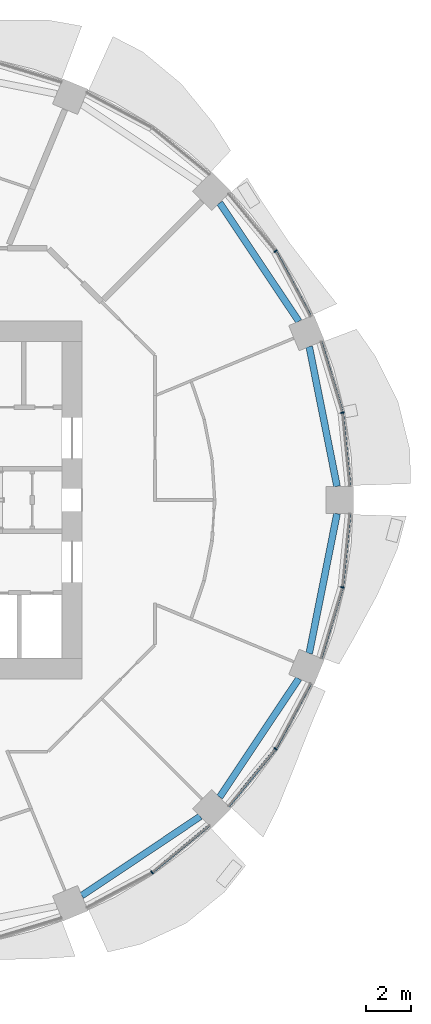
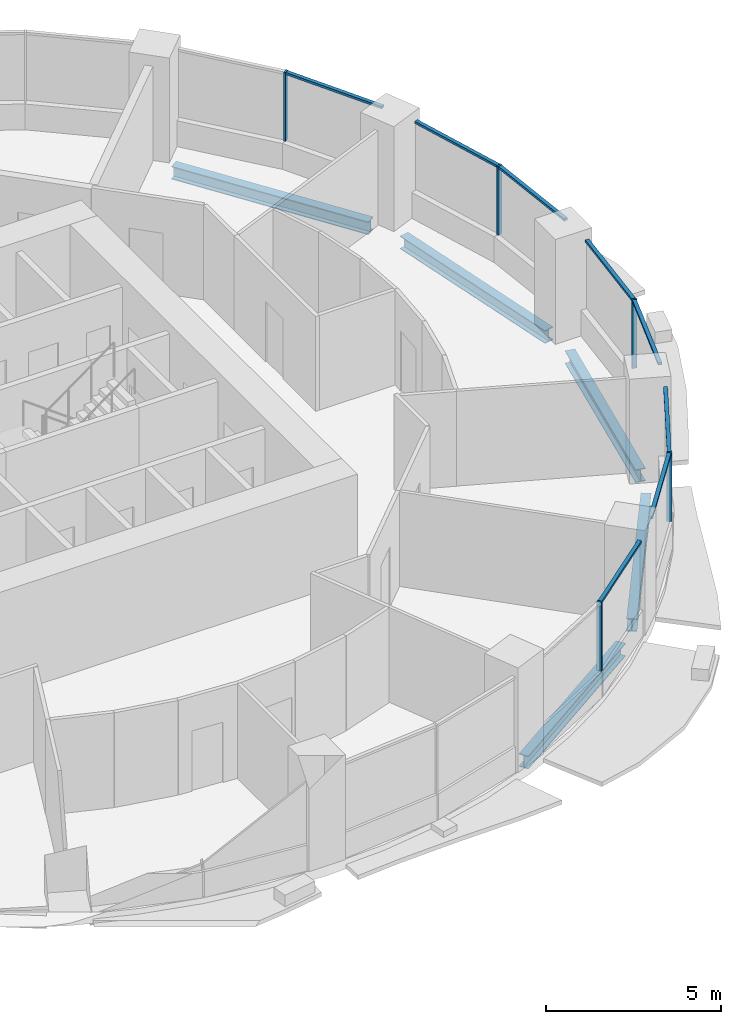
# One storey, part 5 of 15: 13 members, 5 beams, 5 elements without a shape of their own.
"""IFC4 building model written with IfcOpenShell, lengths in metres."""

import ifcopenshell
import ifcopenshell.guid

model = None  # the IFC model being written
_history = None  # IfcOwnerHistory: only IFC2X3 demands one
_inside = {}  # id of a spatial element -> (the spatial element, [elements in it])
_under = {}  # id of a project, library or spatial element -> (it, [spatial elements below it])
_declared = {}  # id of a project -> (the project, [libraries it declares])
_typed = {}  # id of a type object -> (the type object, [elements of that type])
_made_of = {}  # id of a material, layer set ... -> (it, [elements and type objects made of it])


def new_model(schema):
    """Start an empty IFC model of exactly this schema.

    Asked for "IFC4X3", IfcOpenShell would pick the latest addendum, in which some entities
    have other attributes; the version numbers below select the first issue.
    IFC2X3 requires an IfcOwnerHistory on every rooted entity: one is made here for all.
    """
    global model, _history
    if schema == "IFC4X3":
        model = ifcopenshell.file(schema_version=(4, 3, 0, 0))
    else:
        model = ifcopenshell.file(schema=schema)
    _inside.clear()
    _under.clear()
    _declared.clear()
    _typed.clear()
    _made_of.clear()
    _history = None
    if model.schema == "IFC2X3":
        org = make("IfcOrganization", Name="unknown")
        user = make(
            "IfcPersonAndOrganization",
            ThePerson=make("IfcPerson", FamilyName="unknown"),
            TheOrganization=org,
        )
        app = make(
            "IfcApplication",
            ApplicationDeveloper=org,
            Version="unknown",
            ApplicationFullName="unknown",
            ApplicationIdentifier="unknown",
        )
        _history = make(
            "IfcOwnerHistory",
            OwningUser=user,
            OwningApplication=app,
            ChangeAction="ADDED",
            CreationDate=0,
        )
    return model


def make(cls, **values):
    """One entity of the class cls with the attributes given. An attribute that is None is left unset."""
    return model.create_entity(
        cls, **{name: value for name, value in values.items() if value is not None}
    )


def rooted(cls, **values):
    """An entity with a GlobalId (a new one), such as an element, a storey or a relation."""
    return make(cls, GlobalId=ifcopenshell.guid.new(), OwnerHistory=_history, **values)


def si_unit(unit_type, name, prefix=None):
    """IfcSIUnit, for example si_unit("LENGTHUNIT", "METRE", prefix="MILLI")."""
    return make("IfcSIUnit", UnitType=unit_type, Prefix=prefix, Name=name)


def assignment(units):
    """IfcUnitAssignment: the units of a project."""
    return None if units is None else make("IfcUnitAssignment", Units=units)


def point(xyz):
    """IfcCartesianPoint."""
    return None if xyz is None else make("IfcCartesianPoint", Coordinates=xyz)


def direction(xyz):
    """IfcDirection."""
    return None if xyz is None else make("IfcDirection", DirectionRatios=xyz)


def frame(location, z_axis=None, x_axis=None):
    """IfcAxis2Placement3D, a coordinate frame: its origin and axes. An axis left out is left unset."""
    return make(
        "IfcAxis2Placement3D",
        Location=point(location),
        Axis=direction(z_axis),
        RefDirection=direction(x_axis),
    )


def frame_2d(location, x_axis=None):
    """IfcAxis2Placement2D, a coordinate frame in the plane: its origin and x axis."""
    return make(
        "IfcAxis2Placement2D", Location=point(location), RefDirection=direction(x_axis)
    )


def origin():
    """The frame at (0, 0, 0) with its axes left unset."""
    return frame((0.0, 0.0, 0.0))


def origin_2d():
    """The frame at (0, 0) in the plane with its x axis left unset."""
    return frame_2d((0.0, 0.0))


def place(relative_to, where):
    """IfcLocalPlacement: puts the frame where relative to a parent placement (None: the world)."""
    return make(
        "IfcLocalPlacement", PlacementRelTo=relative_to, RelativePlacement=where
    )


def context(
    kind, dimensions, precision=None, world=None, true_north=None, identifier=None
):
    """IfcGeometricRepresentationContext, for example the 3D "Model" context."""
    return make(
        "IfcGeometricRepresentationContext",
        ContextIdentifier=identifier,
        ContextType=kind,
        CoordinateSpaceDimension=dimensions,
        Precision=precision,
        WorldCoordinateSystem=world,
        TrueNorth=true_north,
    )


def subcontext(parent, identifier, kind, view, scale=None):
    """IfcGeometricRepresentationSubContext, for example "Body" below "Model"."""
    return make(
        "IfcGeometricRepresentationSubContext",
        ContextIdentifier=identifier,
        ContextType=kind,
        ParentContext=parent,
        TargetScale=scale,
        TargetView=view,
    )


def project(units=None, contexts=None):
    """IfcProject with its units and contexts."""
    return rooted(
        "IfcProject",
        Name="project",
        RepresentationContexts=contexts,
        UnitsInContext=assignment(units),
    )


def spatial(cls, under=None, at=None, **own):
    """A site, building, storey or space (cls), placed at a placement, below another one or the project."""
    s = rooted(cls, ObjectPlacement=at, **own)
    if under is not None:
        _under.setdefault(under.id(), (under, []))[1].append(s)
    return s


def profile(cls, at=None, kind="AREA", **sizes):
    """A parametric profile (cls). Its sizes go by their IFC names, for example OverallWidth=200.0."""
    return make(cls, ProfileType=kind, Position=at, **sizes)


def rectangle(**sizes):
    """IfcRectangleProfileDef."""
    return profile("IfcRectangleProfileDef", **sizes)


def i_section(**sizes):
    """IfcIShapeProfileDef."""
    return profile("IfcIShapeProfileDef", **sizes)


def extrude(swept, where, along, depth):
    """IfcExtrudedAreaSolid: the profile swept, set in the frame where, extruded along a direction by depth."""
    return make(
        "IfcExtrudedAreaSolid",
        SweptArea=swept,
        Position=where,
        ExtrudedDirection=direction(along),
        Depth=depth,
    )


def shape(context_of_items, identifier, shape_type, items):
    """IfcShapeRepresentation: the items that make up one representation, for example the "Body"."""
    return make(
        "IfcShapeRepresentation",
        ContextOfItems=context_of_items,
        RepresentationIdentifier=identifier,
        RepresentationType=shape_type,
        Items=items,
    )


def material(Name=None, Category=None):
    """IfcMaterial."""
    return make("IfcMaterial", Name=Name, Category=Category)


def material_profile(
    of_material, cross_section, Name=None, Category=None, Priority=None
):
    """IfcMaterialProfile: a cross section and its material."""
    return make(
        "IfcMaterialProfile",
        Name=Name,
        Material=of_material,
        Profile=cross_section,
        Priority=Priority,
        Category=Category,
    )


def profile_set(profiles, Name=None, composite=None):
    """IfcMaterialProfileSet."""
    return make(
        "IfcMaterialProfileSet",
        Name=Name,
        MaterialProfiles=profiles,
        CompositeProfile=composite,
    )


def made_of(thing, what):
    """Note that an element or type object is made of a material, layer set ...; save() writes the relation."""
    if what is not None:
        _made_of.setdefault(what.id(), (what, []))[1].append(thing)
    return thing


def type_object(cls, material=None, **own):
    """A type object (cls), such as IfcWallType, which elements share."""
    return made_of(rooted(cls, **own), material)


def element(
    cls,
    number,
    at=None,
    inside=None,
    cuts=None,
    type_object=None,
    material=None,
    context=None,
    identifier="Body",
    shape_type=None,
    held_by="IfcProductDefinitionShape",
    body=None,
    shapes=None,
    **own,
):
    """One element of the class cls, such as IfcWall. Its Tag is "e" and its number.

    at: its placement. inside: the storey or other place that contains it. cuts: it is an
    opening in that element (IfcRelVoidsElement). A single representation is given by context,
    identifier, shape_type and body (its items); several are given by shapes. held_by: the class
    of the entity that holds the representations. save() writes the other relations.
    """
    e = rooted(cls, Tag="e%d" % number, ObjectPlacement=at, **own)
    if body is not None:
        shapes = [shape(context, identifier, shape_type, body)]
    if shapes is not None:
        e.Representation = make(held_by, Representations=shapes)
    if inside is not None:
        _inside.setdefault(inside.id(), (inside, []))[1].append(e)
    if cuts is not None:
        rooted(
            "IfcRelVoidsElement", RelatingBuildingElement=cuts, RelatedOpeningElement=e
        )
    if type_object is not None:
        _typed.setdefault(type_object.id(), (type_object, []))[1].append(e)
    return made_of(e, material)


def aggregate(whole, parts):
    """IfcRelAggregates: a whole, such as a stair, and the parts it consists of."""
    return rooted("IfcRelAggregates", RelatingObject=whole, RelatedObjects=parts)


def save(model, path):
    """Write the relations noted so far, then the file.

    IfcRelAggregates (storeys below a building ...), IfcRelContainedInSpatialStructure (elements
    in a storey), IfcRelDefinesByType, IfcRelAssociatesMaterial and IfcRelDeclares: one each for
    every whole, place, type object, material and project.
    """
    for whole, parts in _under.values():
        aggregate(whole, parts)
    for where, things in _inside.values():
        rooted(
            "IfcRelContainedInSpatialStructure",
            RelatedElements=things,
            RelatingStructure=where,
        )
    for kind, things in _typed.values():
        rooted("IfcRelDefinesByType", RelatedObjects=things, RelatingType=kind)
    for what, things in _made_of.values():
        rooted("IfcRelAssociatesMaterial", RelatedObjects=things, RelatingMaterial=what)
    for by, libraries in _declared.values():
        rooted("IfcRelDeclares", RelatingContext=by, RelatedDefinitions=libraries)
    model.write(path)


model = new_model("IFC4")

# Units and contexts
model_context = context("Model", 3, precision=1e-05, world=origin(), true_north=direction((0.0, 1.0)))
body_context = subcontext(model_context, "Body", "Model", "MODEL_VIEW")
ifc_project = project(units=[si_unit("LENGTHUNIT", "METRE"), si_unit("AREAUNIT", "SQUARE_METRE"), si_unit("VOLUMEUNIT", "CUBIC_METRE"), si_unit("PLANEANGLEUNIT", "RADIAN"), si_unit("MASSUNIT", "GRAM", prefix="KILO")], contexts=[model_context])

# Site, building, storey
site_placement = place(None, origin())
site = spatial("IfcSite", under=ifc_project, at=site_placement, CompositionType="ELEMENT")
building_placement = place(site_placement, origin())
building = spatial("IfcBuilding", under=site, at=building_placement, Name="Polderwave Tower", CompositionType="ELEMENT")
storey_placement = place(building_placement, frame((0.0, 0.0, 26.199951171875)))
storey = spatial("IfcBuildingStorey", under=building, at=storey_placement, Name="L06", CompositionType="ELEMENT", Elevation=26.199951171875)

# Curtain wall, member
ifc_material_1 = material(Name="Aluminium 6063-T6 and glass", Category="aluminium")
curtain_wall_type = type_object("IfcCurtainWallType", Name="Growing floor ribbon glazing wall", PredefinedType="NOTDEFINED", material=ifc_material_1)
curtain_wall_1_placement = place(storey_placement, origin())
curtain_wall_1 = element("IfcCurtainWall", 1, at=curtain_wall_1_placement, inside=storey, type_object=curtain_wall_type, Name="CW2 L06 00", PredefinedType="NOTDEFINED")
ifc_material_2 = material(Name="Aluminium 6063-T6", Category="aluminium")
ifc_material_profile_1 = material_profile(ifc_material_2, rectangle(XDim=0.14990234375, YDim=0.06005859375, at=origin_2d()), Name="AL 60x150")
ifc_profile_set_1 = profile_set([ifc_material_profile_1], Name="Aluminium 6063-T6")
member_type_1 = type_object("IfcMemberType", Name="Growing floor ribbon glazing mullion 60x150", PredefinedType="MULLION", material=ifc_profile_set_1)
member_1_placement = place(storey_placement, frame((19.321044921875, 3.843017578125, 0.900146484375), z_axis=(0.0, 0.0, 1.0), x_axis=(-0.980771658139, -0.19515879327, 0.0)))
member_1 = element("IfcMember", 2, at=member_1_placement, type_object=member_type_1, Name="CW2 mullion 1", PredefinedType="MULLION", context=body_context, shape_type="SweptSolid", body=[
    extrude(rectangle(XDim=0.14990234375, YDim=0.06005859375, at=origin_2d()), origin(), (0.0, 0.0, 1.0), 2.39990234375),
])

curtain_wall_2_placement = place(storey_placement, origin())
curtain_wall_2 = element("IfcCurtainWall", 3, at=curtain_wall_2_placement, inside=storey, type_object=curtain_wall_type, Name="CW2 L06 01", PredefinedType="NOTDEFINED")
member_2_placement = place(storey_placement, frame((16.3798828125, 10.945068359375, 0.900146484375), z_axis=(0.0, 0.0, 1.0), x_axis=(-0.831436642637, -0.555619572441, 0.0)))
member_2 = element("IfcMember", 4, at=member_2_placement, type_object=member_type_1, Name="CW2 mullion 1", PredefinedType="MULLION", context=body_context, shape_type="SweptSolid", body=[
    extrude(rectangle(XDim=0.14990234375, YDim=0.06005859375, at=origin_2d()), origin(), (0.0, 0.0, 1.0), 2.39990234375),
])

curtain_wall_3_placement = place(storey_placement, origin())
curtain_wall_3 = element("IfcCurtainWall", 5, at=curtain_wall_3_placement, inside=storey, type_object=curtain_wall_type, Name="CW2 L06 13", PredefinedType="NOTDEFINED")
member_3_placement = place(storey_placement, frame((10.945068359375, -16.3798828125, 0.900146484375), z_axis=(0.0, 0.0, 1.0), x_axis=(-0.555619572441, 0.831436642637, 0.0)))
member_3 = element("IfcMember", 6, at=member_3_placement, type_object=member_type_1, Name="CW2 mullion 1", PredefinedType="MULLION", context=body_context, shape_type="SweptSolid", body=[
    extrude(rectangle(XDim=0.14990234375, YDim=0.06005859375, at=origin_2d()), origin(), (0.0, 0.0, 1.0), 2.39990234375),
])

curtain_wall_4_placement = place(storey_placement, origin())
curtain_wall_4 = element("IfcCurtainWall", 7, at=curtain_wall_4_placement, inside=storey, type_object=curtain_wall_type, Name="CW2 L06 14", PredefinedType="NOTDEFINED")
member_4_placement = place(storey_placement, frame((16.3798828125, -10.945068359375, 0.900146484375), z_axis=(0.0, 0.0, 1.0), x_axis=(-0.831436642637, 0.555619572441, 0.0)))
member_4 = element("IfcMember", 8, at=member_4_placement, type_object=member_type_1, Name="CW2 mullion 1", PredefinedType="MULLION", context=body_context, shape_type="SweptSolid", body=[
    extrude(rectangle(XDim=0.14990234375, YDim=0.06005859375, at=origin_2d()), origin(), (0.0, 0.0, 1.0), 2.39990234375),
])

curtain_wall_5_placement = place(storey_placement, origin())
curtain_wall_5 = element("IfcCurtainWall", 9, at=curtain_wall_5_placement, inside=storey, type_object=curtain_wall_type, Name="CW2 L06 15", PredefinedType="NOTDEFINED")
member_5_placement = place(storey_placement, frame((19.321044921875, -3.843017578125, 0.900146484375), z_axis=(0.0, 0.0, 1.0), x_axis=(-0.980771658139, 0.19515879327, 0.0)))
member_5 = element("IfcMember", 10, at=member_5_placement, type_object=member_type_1, Name="CW2 mullion 1", PredefinedType="MULLION", context=body_context, shape_type="SweptSolid", body=[
    extrude(rectangle(XDim=0.14990234375, YDim=0.06005859375, at=origin_2d()), origin(), (0.0, 0.0, 1.0), 2.39990234375),
])

# Member
ifc_material_profile_2 = material_profile(ifc_material_2, rectangle(XDim=0.1201171875, YDim=0.080078125, at=origin_2d()), Name="AL 80x120")
ifc_profile_set_2 = profile_set([ifc_material_profile_2], Name="Aluminium 6063-T6")
member_type_2 = type_object("IfcMemberType", Name="Growing floor ribbon glazing transom 80x120", PredefinedType="USERDEFINED", material=ifc_profile_set_2)
member_6_placement = place(storey_placement, frame((19.64111328125, 0.60009765625, 3.260009765625), z_axis=(-0.098230820031, 0.995163657896, 0.0), x_axis=(-0.995163657896, -0.098230820031, 0.0)))
member_6 = element("IfcMember", 11, at=member_6_placement, type_object=member_type_2, Name="CW2 transom 1", ObjectType="TRANSOM", PredefinedType="USERDEFINED", context=body_context, shape_type="SweptSolid", body=[
    extrude(rectangle(XDim=0.1201171875, YDim=0.080078125, at=origin_2d()), origin(), (0.0, 0.0, 1.0), 3.228515625),
])

member_7_placement = place(storey_placement, frame((19.312255859375, 3.87158203125, 3.260009765625), z_axis=(-0.290231901029, 0.956956343636, 0.0), x_axis=(-0.956956343636, -0.290231901029, 0.0)))
member_7 = element("IfcMember", 12, at=member_7_placement, type_object=member_type_2, Name="CW2 transom 2", ObjectType="TRANSOM", PredefinedType="USERDEFINED", context=body_context, shape_type="SweptSolid", body=[
    extrude(rectangle(XDim=0.1201171875, YDim=0.080078125, at=origin_2d()), origin(), (0.0, 0.0, 1.0), 3.229248046875),
])

aggregate(curtain_wall_1, [member_1, member_6, member_7])

member_8_placement = place(storey_placement, frame((17.916015625, 8.071044921875, 3.260009765625), z_axis=(-0.471396538118, 0.88192137056, 0.0), x_axis=(-0.88192137056, -0.471396538118, 0.0)))
member_8 = element("IfcMember", 13, at=member_8_placement, type_object=member_type_2, Name="CW2 transom 1", ObjectType="TRANSOM", PredefinedType="USERDEFINED", context=body_context, shape_type="SweptSolid", body=[
    extrude(rectangle(XDim=0.1201171875, YDim=0.080078125, at=origin_2d()), origin(), (0.0, 0.0, 1.0), 3.228759765625),
])

aggregate(curtain_wall_2, [member_2, member_8])

member_9_placement = place(storey_placement, frame((10.96826171875, -16.361083984375, 3.260009765625), z_axis=(0.772891772245, 0.634537869946, 0.0), x_axis=(-0.634537869946, 0.772891772245, 0.0)))
member_9 = element("IfcMember", 14, at=member_9_placement, type_object=member_type_2, Name="CW2 transom 2", ObjectType="TRANSOM", PredefinedType="USERDEFINED", context=body_context, shape_type="SweptSolid", body=[
    extrude(rectangle(XDim=0.1201171875, YDim=0.080078125, at=origin_2d()), origin(), (0.0, 0.0, 1.0), 3.229248046875),
])

aggregate(curtain_wall_3, [member_3, member_9])

member_10_placement = place(storey_placement, frame((14.31201171875, -13.464111328125, 3.260009765625), z_axis=(0.634537869946, 0.772891772245, 0.0), x_axis=(-0.772891772245, 0.634537869946, 0.0)))
member_10 = element("IfcMember", 15, at=member_10_placement, type_object=member_type_2, Name="CW2 transom 1", ObjectType="TRANSOM", PredefinedType="USERDEFINED", context=body_context, shape_type="SweptSolid", body=[
    extrude(rectangle(XDim=0.1201171875, YDim=0.080078125, at=origin_2d()), origin(), (0.0, 0.0, 1.0), 3.229248046875),
])

member_11_placement = place(storey_placement, frame((16.39404296875, -10.91845703125, 3.260009765625), z_axis=(0.471396538118, 0.88192137056, 0.0), x_axis=(-0.88192137056, 0.471396538118, 0.0)))
member_11 = element("IfcMember", 16, at=member_11_placement, type_object=member_type_2, Name="CW2 transom 2", ObjectType="TRANSOM", PredefinedType="USERDEFINED", context=body_context, shape_type="SweptSolid", body=[
    extrude(rectangle(XDim=0.1201171875, YDim=0.080078125, at=origin_2d()), origin(), (0.0, 0.0, 1.0), 3.228759765625),
])

aggregate(curtain_wall_4, [member_4, member_10, member_11])

member_12_placement = place(storey_placement, frame((18.375, -6.9619140625, 3.260009765625), z_axis=(0.290231901029, 0.956956343636, 0.0), x_axis=(-0.956956343636, 0.290231901029, 0.0)))
member_12 = element("IfcMember", 17, at=member_12_placement, type_object=member_type_2, Name="CW2 transom 1", ObjectType="TRANSOM", PredefinedType="USERDEFINED", context=body_context, shape_type="SweptSolid", body=[
    extrude(rectangle(XDim=0.1201171875, YDim=0.080078125, at=origin_2d()), origin(), (0.0, 0.0, 1.0), 3.229248046875),
])

member_13_placement = place(storey_placement, frame((19.323974609375, -3.81298828125, 3.260009765625), z_axis=(0.098230820031, 0.995163657896, 0.0), x_axis=(-0.995163657896, 0.098230820031, 0.0)))
member_13 = element("IfcMember", 18, at=member_13_placement, type_object=member_type_2, Name="CW2 transom 2", ObjectType="TRANSOM", PredefinedType="USERDEFINED", context=body_context, shape_type="SweptSolid", body=[
    extrude(rectangle(XDim=0.1201171875, YDim=0.080078125, at=origin_2d()), origin(), (0.0, 0.0, 1.0), 3.228515625),
])

aggregate(curtain_wall_5, [member_5, member_12, member_13])

# Beams
ifc_material_3 = material(Name="Steel S355", Category="steel")
ifc_material_profile_3 = material_profile(ifc_material_3, i_section(OverallWidth=0.300048828125, OverallDepth=0.449951171875, WebThickness=0.013916015625, FlangeThickness=0.02587890625, at=origin_2d()), Name="HE 450 B")
ifc_profile_set_3 = profile_set([ifc_material_profile_3], Name="Steel S355")
beam_type = type_object("IfcBeamType", Name="RING BEAM HE 450 B", PredefinedType="BEAM", material=ifc_profile_set_3)
beam_1_placement = place(storey_placement, frame((19.08056640625, 0.60009765625, -0.574951171875), z_axis=(-0.195067338291, 0.98078985187, 0.0), x_axis=(-0.98078985187, -0.195067338291, 0.0)))
element("IfcBeam", 19, at=beam_1_placement, inside=storey, type_object=beam_type, Name="ST-RB-L06-00", PredefinedType="BEAM", context=body_context, shape_type="SweptSolid", body=[
    extrude(i_section(OverallWidth=0.300048828125, OverallDepth=0.449951171875, WebThickness=0.013916015625, FlangeThickness=0.02587890625, at=origin_2d()), origin(), (0.0, 0.0, 1.0), 6.267822265625),
])
for number, where, z_axis, x_axis, name in (
    (20, (17.398681640625, 7.856201171875, -0.574951171875), (-0.555580751359, 0.831462584076, 0.0), (-0.831462584076, -0.555580751359, 0.0), "ST-RB-L06-01"),
    (21, (7.856201171875, -17.398681640625, -0.574951171875), (0.831462584076, 0.555580751359, 0.0), (-0.555580751359, 0.831462584076, 0.0), "ST-RB-L06-13"),
    (22, (13.916259765625, -13.06787109375, -0.574951171875), (0.555580751359, 0.831462584076, 0.0), (-0.831462584076, 0.555580751359, 0.0), "ST-RB-L06-14"),
):
    element("IfcBeam", number, at=place(storey_placement, frame(where, z_axis=z_axis, x_axis=x_axis)), inside=storey, type_object=beam_type, Name=name, PredefinedType="BEAM", context=body_context, shape_type="SweptSolid", body=[
        extrude(i_section(OverallWidth=0.300048828125, OverallDepth=0.449951171875, WebThickness=0.013916015625, FlangeThickness=0.02587890625, at=origin_2d()), origin(), (0.0, 0.0, 1.0), 6.26806640625),
    ])
beam_2_placement = place(storey_placement, frame((17.85791015625, -6.74755859375, -0.574951171875), z_axis=(0.195067338291, 0.98078985187, 0.0), x_axis=(-0.98078985187, 0.195067338291, 0.0)))
element("IfcBeam", 23, at=beam_2_placement, inside=storey, type_object=beam_type, Name="ST-RB-L06-15", PredefinedType="BEAM", context=body_context, shape_type="SweptSolid", body=[
    extrude(i_section(OverallWidth=0.300048828125, OverallDepth=0.449951171875, WebThickness=0.013916015625, FlangeThickness=0.02587890625, at=origin_2d()), origin(), (0.0, 0.0, 1.0), 6.267822265625),
])

save(model, "model.ifc")
